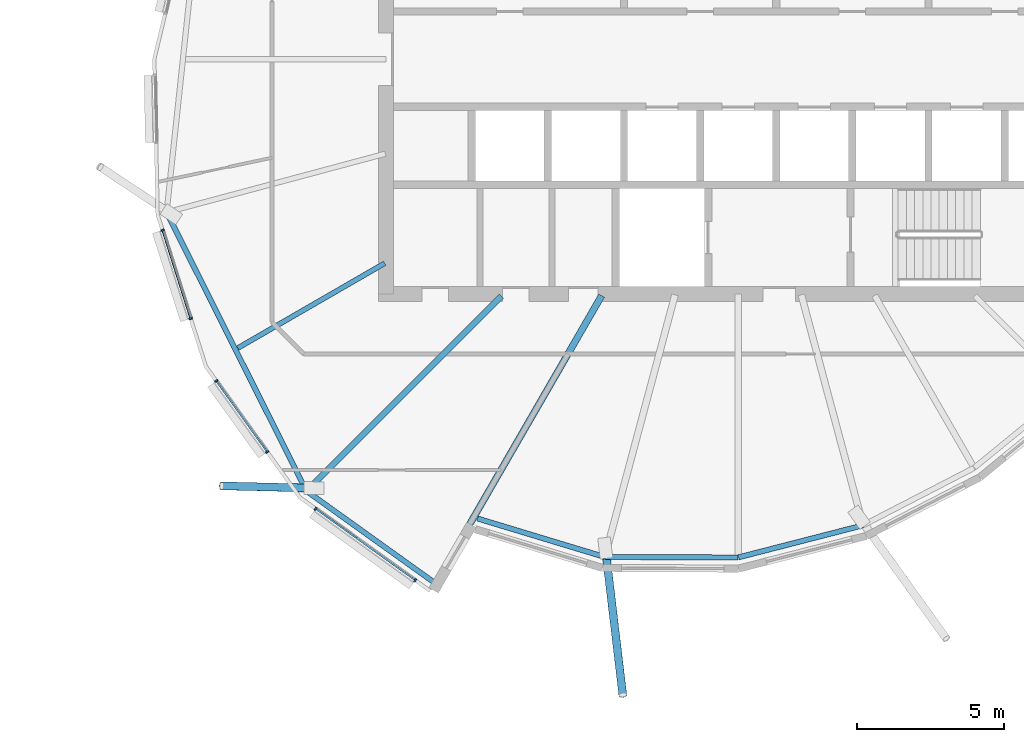
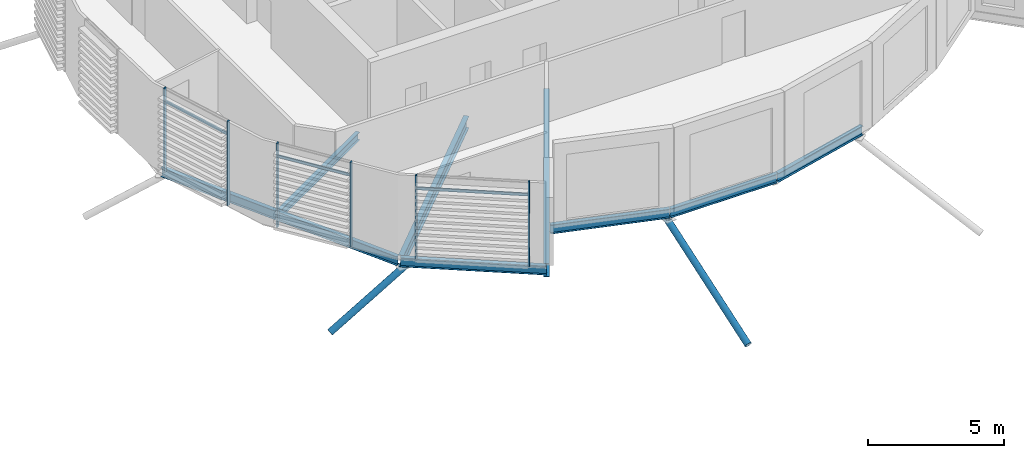
# One storey, part 9 of 41: 11 members, 8 beams, 1 element without a shape of its own.
"""IFC4 building model written with IfcOpenShell, lengths in metres."""

from ifc_helpers import new_model, si_unit, direction, frame, origin, origin_2d, place, context, subcontext, project, spatial, rectangle, hollow_circle, i_section, extrude, clip, halfspace, material, material_profile, profile_set, type_object, element, aggregate, save


model = new_model("IFC4")

# Units and contexts
model_context = context("Model", 3, precision=1e-05, world=origin(), true_north=direction((0.0, 1.0)))
body_context = subcontext(model_context, "Body", "Model", "MODEL_VIEW")
ifc_project = project(units=[si_unit("LENGTHUNIT", "METRE"), si_unit("AREAUNIT", "SQUARE_METRE"), si_unit("VOLUMEUNIT", "CUBIC_METRE"), si_unit("PLANEANGLEUNIT", "RADIAN"), si_unit("MASSUNIT", "GRAM", prefix="KILO")], contexts=[model_context])

# Site, building, storey
site_placement = place(None, origin())
site = spatial("IfcSite", under=ifc_project, at=site_placement, CompositionType="ELEMENT")
building_placement = place(site_placement, origin())
building = spatial("IfcBuilding", under=site, at=building_placement, Name="Rimbun Link Towers", CompositionType="ELEMENT")
storey_placement = place(building_placement, frame((0.0, 0.0, 214.300048828125)))
storey = spatial("IfcBuildingStorey", under=building, at=storey_placement, Name="L52", CompositionType="ELEMENT", Elevation=214.300048828125)

# Curtain wall, members
ifc_material_1 = material(Name="Aluminium 6063-T6 and low-iron glass", Category="aluminium")
curtain_wall_type = type_object("IfcCurtainWallType", Name="CW1-Z4 unitised vision wall (zone 4)", PredefinedType="NOTDEFINED", material=ifc_material_1)
curtain_wall_placement = place(storey_placement, origin())
curtain_wall = element("IfcCurtainWall", 1, at=curtain_wall_placement, inside=storey, type_object=curtain_wall_type, Name="CW1 L52 T2", PredefinedType="NOTDEFINED")
ifc_material_2 = material(Name="Aluminium 6063-T6", Category="aluminium")
ifc_material_profile_1 = material_profile(ifc_material_2, rectangle(XDim=0.1201171875, YDim=0.06005859375, at=origin_2d()), Name="MULLION 60X120")
ifc_profile_set_1 = profile_set([ifc_material_profile_1], Name="Aluminium 6063-T6")
member_type_1 = type_object("IfcMemberType", Name="CW1 mullion 60X120", PredefinedType="MULLION", material=ifc_profile_set_1)
member_1_placement = place(storey_placement, frame((13.09228515625, -8.839599609375, 0.0), z_axis=(0.0, 0.0, 1.0), x_axis=(-0.952968975919, -0.30306786523, 0.0)))
member_1 = element("IfcMember", 2, at=member_1_placement, type_object=member_type_1, Name="CW1 mullion", PredefinedType="MULLION", context=body_context, shape_type="SweptSolid", body=[
    extrude(rectangle(XDim=0.1201171875, YDim=0.06005859375, at=origin_2d()), origin(), (0.0, 0.0, 1.0), 3.800048828125),
])
member_2_placement = place(storey_placement, frame((12.134521484375, -5.82763671875, 0.0), z_axis=(0.0, 0.0, 1.0), x_axis=(-0.952968975919, -0.30306786523, 0.0)))
member_2 = element("IfcMember", 3, at=member_2_placement, type_object=member_type_1, Name="CW1 mullion", PredefinedType="MULLION", context=body_context, shape_type="SweptSolid", body=[
    extrude(rectangle(XDim=0.1201171875, YDim=0.06005859375, at=origin_2d()), origin(), (0.0, 0.0, 1.0), 3.800048828125),
])
member_3_placement = place(storey_placement, frame((15.70166015625, -13.383056640625, 0.0), z_axis=(0.0, 0.0, 1.0), x_axis=(-0.812469633551, -0.583003511617, 0.0)))
member_3 = element("IfcMember", 4, at=member_3_placement, type_object=member_type_1, Name="CW1 mullion", PredefinedType="MULLION", context=body_context, shape_type="SweptSolid", body=[
    extrude(rectangle(XDim=0.1201171875, YDim=0.06005859375, at=origin_2d()), origin(), (0.0, 0.0, 1.0), 3.800048828125),
])
member_4_placement = place(storey_placement, frame((13.9658203125, -10.9638671875, 0.0), z_axis=(0.0, 0.0, 1.0), x_axis=(-0.812469633551, -0.583003511617, 0.0)))
member_4 = element("IfcMember", 5, at=member_4_placement, type_object=member_type_1, Name="CW1 mullion", PredefinedType="MULLION", context=body_context, shape_type="SweptSolid", body=[
    extrude(rectangle(XDim=0.1201171875, YDim=0.06005859375, at=origin_2d()), origin(), (0.0, 0.0, 1.0), 3.800048828125),
])
member_5_placement = place(storey_placement, frame((20.745361328125, -17.7548828125, 0.0), z_axis=(0.0, 0.0, 1.0), x_axis=(-0.583003511617, -0.812469633551, 0.0)))
member_5 = element("IfcMember", 6, at=member_5_placement, type_object=member_type_1, Name="CW1 mullion", PredefinedType="MULLION", context=body_context, shape_type="SweptSolid", body=[
    extrude(rectangle(XDim=0.1201171875, YDim=0.06005859375, at=origin_2d()), origin(), (0.0, 0.0, 1.0), 3.800048828125),
])
member_6_placement = place(storey_placement, frame((17.351318359375, -15.319580078125, 0.0), z_axis=(0.0, 0.0, 1.0), x_axis=(-0.583003511617, -0.812469633551, 0.0)))
member_6 = element("IfcMember", 7, at=member_6_placement, type_object=member_type_1, Name="CW1 mullion", PredefinedType="MULLION", context=body_context, shape_type="SweptSolid", body=[
    extrude(rectangle(XDim=0.1201171875, YDim=0.06005859375, at=origin_2d()), origin(), (0.0, 0.0, 1.0), 3.800048828125),
])
ifc_material_3 = material(Name="Aluminium 6063-T6", Category="aluminium")
ifc_material_profile_2 = material_profile(ifc_material_3, rectangle(XDim=0.06005859375, YDim=0.1201171875, at=origin_2d()), Name="TRANSOM 60X120")
ifc_profile_set_2 = profile_set([ifc_material_profile_2], Name="Aluminium 6063-T6")
member_type_2 = type_object("IfcMemberType", Name="CW1 transom 60X120", PredefinedType="USERDEFINED", material=ifc_profile_set_2)
member_7_placement = place(storey_placement, frame((13.085205078125, -8.810546875, 3.199951171875), z_axis=(-0.303063904527, 0.952970235513, 0.0), x_axis=(-0.952970235513, -0.303063904527, 0.0)))
member_7 = element("IfcMember", 8, at=member_7_placement, type_object=member_type_2, Name="CW1 transom", ObjectType="TRANSOM", PredefinedType="USERDEFINED", context=body_context, shape_type="SweptSolid", body=[
    extrude(rectangle(XDim=0.06005859375, YDim=0.1201171875, at=origin_2d()), origin(), (0.0, 0.0, 1.0), 3.1005859375),
])
member_8_placement = place(storey_placement, frame((15.685791015625, -13.357666015625, 3.199951171875), z_axis=(-0.582970323922, 0.812493447005, 0.0), x_axis=(-0.812493447005, -0.582970323922, 0.0)))
member_8 = element("IfcMember", 9, at=member_8_placement, type_object=member_type_2, Name="CW1 transom", ObjectType="TRANSOM", PredefinedType="USERDEFINED", context=body_context, shape_type="SweptSolid", body=[
    extrude(rectangle(XDim=0.06005859375, YDim=0.1201171875, at=origin_2d()), origin(), (0.0, 0.0, 1.0), 2.917724609375),
])
member_9_placement = place(storey_placement, frame((20.72216796875, -17.73583984375, 3.199951171875), z_axis=(-0.812473528823, 0.582998083155, 0.0), x_axis=(-0.582998083155, -0.812473528823, 0.0)))
member_9 = element("IfcMember", 10, at=member_9_placement, type_object=member_type_2, Name="CW1 transom", ObjectType="TRANSOM", PredefinedType="USERDEFINED", context=body_context, shape_type="SweptSolid", body=[
    extrude(rectangle(XDim=0.06005859375, YDim=0.1201171875, at=origin_2d()), origin(), (0.0, 0.0, 1.0), 4.117431640625),
])
aggregate(curtain_wall, [member_1, member_2, member_3, member_4, member_5, member_6, member_7, member_8, member_9])

# Members
ifc_material_4 = material(Name="Steel S355J2H", Category="steel")
ifc_material_profile_3 = material_profile(ifc_material_4, hollow_circle(Radius=0.136474609375, WallThickness=0.012451171875, at=origin_2d()), Name="CHS 273x12.5")
ifc_profile_set_3 = profile_set([ifc_material_profile_3], Name="Steel S355J2H")
member_type_3 = type_object("IfcMemberType", Name="Floor edge link CHS 273x12.5", PredefinedType="BRACE", material=ifc_profile_set_3)
member_10_placement = place(storey_placement, frame((17.13720703125, -14.61279296875, -0.78955078125), z_axis=(-0.851447030084, 0.020714618551, -0.524031353585), x_axis=(-0.024321525809, -0.999704187939, 0.0)))
element("IfcMember", 11, at=member_10_placement, inside=storey, type_object=member_type_3, Name="Floor edge link T2 L52 12", PredefinedType="BRACE", context=body_context, shape_type="Clipping", body=[
    clip(extrude(hollow_circle(Radius=0.136474609375, WallThickness=0.012451171875, at=origin_2d()), frame((0.0, 0.0, -0.462890625)), (0.0, 0.0, 1.0), 3.98681640625), halfspace(frame((0.0, 0.0, -0.21826171875), z_axis=(0.0, 0.851698972913, -0.524031353585)), False)),
])
member_11_placement = place(storey_placement, frame((27.240966796875, -16.828125, -0.862060546875), z_axis=(0.102776746887, -0.861530090414, -0.497194975449), x_axis=(0.992959340753, 0.118455677833, 0.0)))
element("IfcMember", 12, at=member_11_placement, inside=storey, type_object=member_type_3, Name="Floor edge link T2 L52 14", PredefinedType="BRACE", context=body_context, shape_type="Clipping", body=[
    clip(extrude(hollow_circle(Radius=0.136474609375, WallThickness=0.012451171875, at=origin_2d()), frame((0.0, 0.0, -0.49658203125)), (0.0, 0.0, 1.0), 6.128662109375), halfspace(frame((0.0, 0.0, -0.236083984375), z_axis=(0.0, 0.867638839834, -0.497194975449)), False)),
])

# Beams
ifc_material_5 = material(Name="Steel S355J2", Category="steel")
ifc_material_profile_4 = material_profile(ifc_material_5, i_section(OverallWidth=0.17138671875, OverallDepth=0.35498046875, WebThickness=0.00732421875, FlangeThickness=0.011474609375, at=origin_2d()), Name="UB 356x171x51")
ifc_profile_set_4 = profile_set([ifc_material_profile_4], Name="Steel S355J2")
beam_type_1 = type_object("IfcBeamType", Name="UB 356x171x51", PredefinedType="BEAM", material=ifc_profile_set_4)
beam_1_placement = place(storey_placement, frame((19.706298828125, -6.95361328125, -0.317626953125), z_axis=(-0.866032388169, -0.499987902496, 0.0), x_axis=(0.499987902496, -0.866032388169, 0.0)))
element("IfcBeam", 13, at=beam_1_placement, inside=storey, type_object=beam_type_1, Name="Radial beam T2 L52 11", PredefinedType="BEAM", context=body_context, shape_type="SweptSolid", body=[
    extrude(i_section(OverallWidth=0.17138671875, OverallDepth=0.35498046875, WebThickness=0.00732421875, FlangeThickness=0.011474609375, at=origin_2d()), origin(), (0.0, 0.0, 1.0), 5.785400390625),
])
ifc_material_6 = material(Name="Steel S355J2", Category="steel")
ifc_material_profile_5 = material_profile(ifc_material_6, i_section(OverallWidth=0.177978515625, OverallDepth=0.406494140625, WebThickness=0.0078125, FlangeThickness=0.0126953125, at=origin_2d()), Name="UB 406x178x60")
ifc_profile_set_5 = profile_set([ifc_material_profile_5], Name="Steel S355J2")
beam_type_2 = type_object("IfcBeamType", Name="UB 406x178x60", PredefinedType="BEAM", material=ifc_profile_set_5)
beam_2_placement = place(storey_placement, frame((12.314697265625, -5.30078125, -0.34326171875), z_axis=(0.44848784032, -0.893788933186, 0.0), x_axis=(0.893788933186, 0.44848784032, 0.0)))
element("IfcBeam", 14, at=beam_2_placement, inside=storey, type_object=beam_type_2, Name="Edge beam T2 L52 10-12", PredefinedType="BEAM", context=body_context, shape_type="SweptSolid", body=[
    extrude(i_section(OverallWidth=0.177978515625, OverallDepth=0.406494140625, WebThickness=0.0078125, FlangeThickness=0.0126953125, at=origin_2d()), origin(), (0.0, 0.0, 1.0), 10.419189453125),
])
beam_3_placement = place(storey_placement, frame((17.0380859375, -14.713134765625, -0.34326171875), z_axis=(0.81297345139, -0.582300753336, 0.0), x_axis=(0.582300753336, 0.81297345139, 0.0)))
element("IfcBeam", 15, at=beam_3_placement, inside=storey, type_object=beam_type_2, Name="Edge beam T2 L52 12", PredefinedType="BEAM", context=body_context, shape_type="SweptSolid", body=[
    extrude(i_section(OverallWidth=0.177978515625, OverallDepth=0.406494140625, WebThickness=0.0078125, FlangeThickness=0.0126953125, at=origin_2d()), origin(), (0.0, 0.0, 1.0), 5.409423828125),
])
beam_4_placement = place(storey_placement, frame((22.869384765625, -15.6513671875, -0.34326171875), z_axis=(0.957088042709, -0.289797305893, 0.0), x_axis=(0.289797305893, 0.957088042709, 0.0)))
element("IfcBeam", 16, at=beam_4_placement, inside=storey, type_object=beam_type_2, Name="Edge beam T2 L52 13 recess", PredefinedType="BEAM", context=body_context, shape_type="SweptSolid", body=[
    extrude(i_section(OverallWidth=0.177978515625, OverallDepth=0.406494140625, WebThickness=0.0078125, FlangeThickness=0.0126953125, at=origin_2d()), origin(), (0.0, 0.0, 1.0), 4.515625),
])
beam_5_placement = place(storey_placement, frame((27.218505859375, -16.964111328125, -0.34326171875), z_axis=(0.999995090809, -0.003133426, 0.0), x_axis=(0.003133426, 0.999995090809, 0.0)))
element("IfcBeam", 17, at=beam_5_placement, inside=storey, type_object=beam_type_2, Name="Edge beam T2 L52 14 recess", PredefinedType="BEAM", context=body_context, shape_type="SweptSolid", body=[
    extrude(i_section(OverallWidth=0.177978515625, OverallDepth=0.406494140625, WebThickness=0.0078125, FlangeThickness=0.0126953125, at=origin_2d()), origin(), (0.0, 0.0, 1.0), 4.51904296875),
])
beam_6_placement = place(storey_placement, frame((31.761962890625, -16.97509765625, -0.34326171875), z_axis=(0.96846059214, 0.249166774412, 0.0), x_axis=(-0.249166774412, 0.96846059214, 0.0)))
element("IfcBeam", 18, at=beam_6_placement, inside=storey, type_object=beam_type_2, Name="Edge beam T2 L52 15 recess", PredefinedType="BEAM", context=body_context, shape_type="SweptSolid", body=[
    extrude(i_section(OverallWidth=0.177978515625, OverallDepth=0.406494140625, WebThickness=0.0078125, FlangeThickness=0.0126953125, at=origin_2d()), origin(), (0.0, 0.0, 1.0), 4.37109375),
])
ifc_material_7 = material(Name="Steel S355J2", Category="steel")
ifc_material_profile_6 = material_profile(ifc_material_7, i_section(OverallWidth=0.209228515625, OverallDepth=0.533203125, WebThickness=0.010009765625, FlangeThickness=0.015625, at=origin_2d()), Name="UB 533x210x92")
ifc_profile_set_6 = profile_set([ifc_material_profile_6], Name="Steel S355J2")
beam_type_3 = type_object("IfcBeamType", Name="UB 533x210x92", PredefinedType="BEAM", material=ifc_profile_set_6)
beam_7_placement = place(storey_placement, frame((23.67529296875, -8.07470703125, -0.406494140625), z_axis=(-0.707106781187, -0.707106781187, 0.0), x_axis=(0.707106781187, -0.707106781187, 0.0)))
element("IfcBeam", 19, at=beam_7_placement, inside=storey, type_object=beam_type_3, Name="Radial beam T2 L52 12", PredefinedType="BEAM", context=body_context, shape_type="SweptSolid", body=[
    extrude(i_section(OverallWidth=0.209228515625, OverallDepth=0.533203125, WebThickness=0.010009765625, FlangeThickness=0.015625, at=origin_2d()), origin(), (0.0, 0.0, 1.0), 9.29638671875),
])
ifc_material_8 = material(Name="Steel S355J2", Category="steel")
ifc_material_profile_7 = material_profile(ifc_material_8, i_section(OverallWidth=0.2275390625, OverallDepth=0.6025390625, WebThickness=0.010498046875, FlangeThickness=0.014892578125, at=origin_2d()), Name="UB 610x229x101")
ifc_profile_set_7 = profile_set([ifc_material_profile_7], Name="Steel S355J2")
beam_type_4 = type_object("IfcBeamType", Name="UB 610x229x101", PredefinedType="BEAM", material=ifc_profile_set_7)
beam_8_placement = place(storey_placement, frame((27.097900390625, -8.057861328125, -0.44140625), z_axis=(-0.500000910839, -0.866024877911, 0.0), x_axis=(0.866024877911, -0.500000910839, 0.0)))
element("IfcBeam", 20, at=beam_8_placement, inside=storey, type_object=beam_type_4, Name="Radial beam T2 L52 13", PredefinedType="BEAM", context=body_context, shape_type="SweptSolid", body=[
    extrude(i_section(OverallWidth=0.2275390625, OverallDepth=0.6025390625, WebThickness=0.010498046875, FlangeThickness=0.014892578125, at=origin_2d()), origin(), (0.0, 0.0, 1.0), 11.232421875),
])

save(model, "model.ifc")
